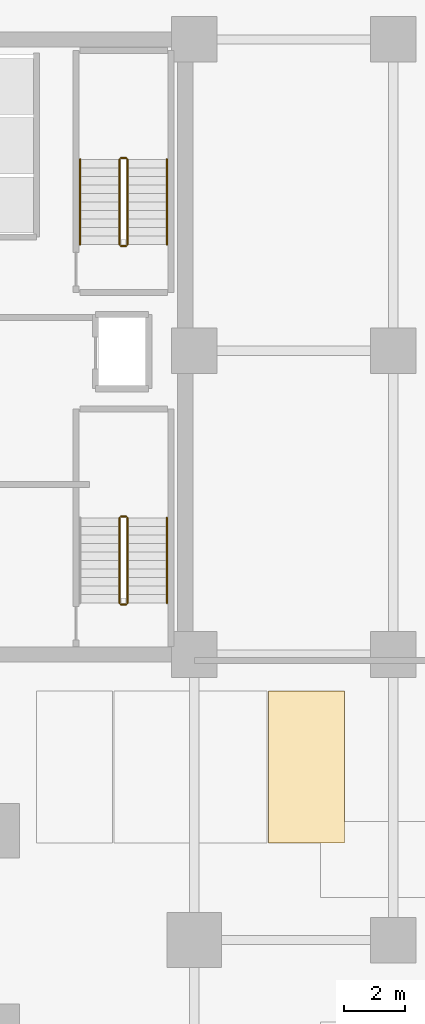
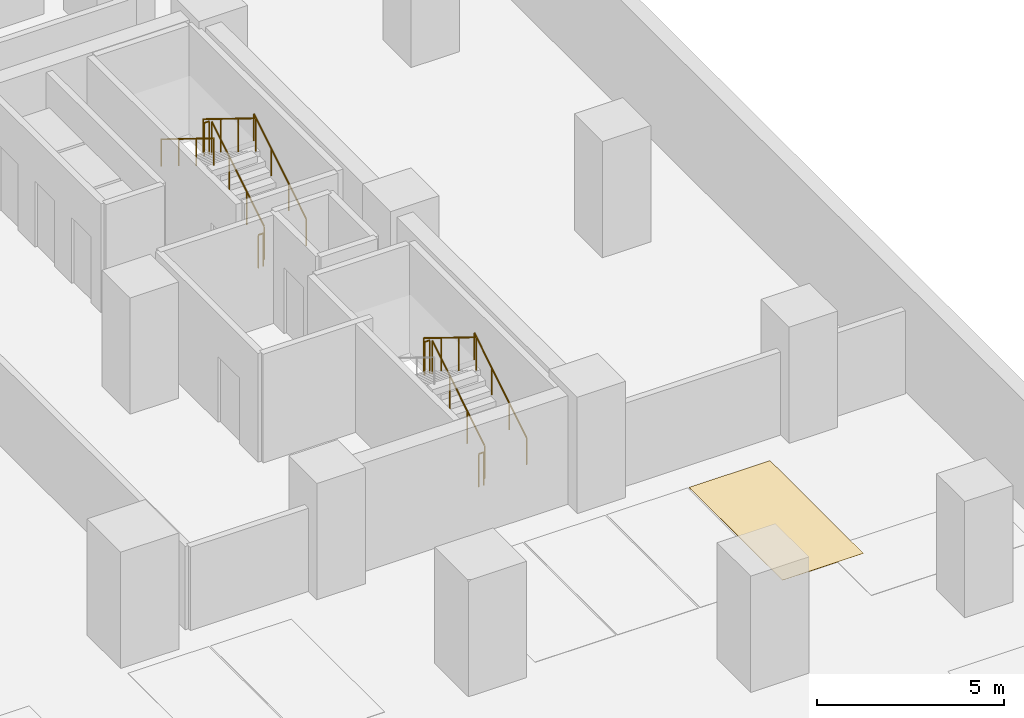
# One storey, part 8 of 9: 11 railings, 1 covering.
"""IFC4 building model written with IfcOpenShell, lengths in metres."""

from ifc_helpers import new_model, si_unit, direction, frame, origin, origin_2d, place, context, subcontext, project, spatial, polyline, circle, outline, extrude, material, layer, layer_set, type_object, element, save


model = new_model("IFC4")

# Units and contexts
model_context = context("Model", 3, precision=1e-05, world=origin(), true_north=direction((0.0, 1.0)))
body_context = subcontext(model_context, "Body", "Model", "MODEL_VIEW")
ifc_project = project(units=[si_unit("LENGTHUNIT", "METRE"), si_unit("AREAUNIT", "SQUARE_METRE"), si_unit("VOLUMEUNIT", "CUBIC_METRE"), si_unit("PLANEANGLEUNIT", "RADIAN"), si_unit("MASSUNIT", "GRAM", prefix="KILO")], contexts=[model_context])

# Site, building, storey
site_placement = place(None, origin())
site = spatial("IfcSite", under=ifc_project, at=site_placement, CompositionType="ELEMENT")
building_placement = place(site_placement, origin())
building = spatial("IfcBuilding", under=site, at=building_placement, Name="Kuzgunbayir Cultural Tower", CompositionType="ELEMENT")
storey_placement = place(building_placement, frame((0.0, 0.0, -7.60009765625)))
storey = spatial("IfcBuildingStorey", under=building, at=storey_placement, Name="B02", CompositionType="ELEMENT", Elevation=-7.60009765625)

# Covering
ifc_material_1 = material(Name="Epoxy Car Park Deck Coating", Category="finish")
ifc_layer_1 = layer(ifc_material_1, 0.006103515625)
ifc_layer_set_1 = layer_set([ifc_layer_1], Name="Epoxy Car Park Deck Coating")
covering_type = type_object("IfcCoveringType", Name="COV-PARK-BAY", PredefinedType="FLOORING", material=ifc_layer_set_1)
covering_placement = place(storey_placement, origin())
element("IfcCovering", 1, at=covering_placement, inside=storey, type_object=covering_type, Name="B02-P025 Car Parking Bay Marking", PredefinedType="FLOORING", context=body_context, shape_type="SweptSolid", body=[
    extrude(outline(polyline([(75.10009765625, 15.800048828125), (77.60009765625, 15.800048828125), (77.60009765625, 20.800048828125), (75.10009765625, 20.800048828125), (75.10009765625, 15.800048828125)])), origin(), (0.0, 0.0, 1.0), 0.010009765625),
])

# Railings
ifc_material_2 = material(Name="Brushed Stainless Steel", Category="steel")
ifc_layer_2 = layer(ifc_material_2, 0.050048828125)
ifc_layer_set_2 = layer_set([ifc_layer_2], Name="Brushed Stainless Steel")
railing_type_1 = type_object("IfcRailingType", Name="RLG-STAIR-HANDRAIL", PredefinedType="HANDRAIL", material=ifc_layer_set_2)
for number, where, name in (
    (2, (71.75, 23.699951171875, 0.1728515625), "B02 ST-3 stair handrail 1"),
    (3, (71.75, 35.5, 0.1728515625), "B02 ST-4 stair handrail 1"),
):
    element("IfcRailing", number, at=place(storey_placement, frame(where)), inside=storey, type_object=railing_type_1, Name=name, PredefinedType="HANDRAIL", context=body_context, shape_type="SweptSolid", body=[
        extrude(circle(Radius=0.02392578125, at=origin_2d()), frame((0.0, 0.0, 0.8759765625), z_axis=(0.0, 0.851089632645, 0.525020415988), x_axis=(-1.0, 0.0, 0.0)), (0.0, 0.0, 1.0), 3.2900390625),
        extrude(circle(Radius=0.02099609375, at=origin_2d()), origin(), (0.0, 0.0, 1.0), 0.851806640625),
        extrude(circle(Radius=0.02099609375, at=origin_2d()), frame((0.0, 0.933349609375, 0.57568359375)), (0.0, 0.0, 1.0), 0.851806640625),
        extrude(circle(Radius=0.02099609375, at=origin_2d()), frame((0.0, 1.86669921875, 1.151611328125)), (0.0, 0.0, 1.0), 0.851806640625),
        extrude(circle(Radius=0.02099609375, at=origin_2d()), frame((0.0, 2.800048828125, 1.727294921875)), (0.0, 0.0, 1.0), 0.851806640625),
    ])
railing_1_placement = place(storey_placement, frame((68.889892578125, 38.300048828125, 2.07275390625)))
element("IfcRailing", 4, at=railing_1_placement, inside=storey, type_object=railing_type_1, Name="B02 ST-4 stair handrail 2", PredefinedType="HANDRAIL", context=body_context, shape_type="SweptSolid", body=[
    extrude(circle(Radius=0.02392578125, at=origin_2d()), frame((0.0, 0.0, 0.8759765625), z_axis=(0.0, -0.851089632645, 0.525020415988), x_axis=(1.0, 0.0, 0.0)), (0.0, 0.0, 1.0), 3.2900390625),
    extrude(circle(Radius=0.02099609375, at=origin_2d()), origin(), (0.0, 0.0, 1.0), 0.851806640625),
    extrude(circle(Radius=0.02099609375, at=origin_2d()), frame((0.0, -0.933349609375, 0.57568359375)), (0.0, 0.0, 1.0), 0.851806640625),
    extrude(circle(Radius=0.02099609375, at=origin_2d()), frame((0.0, -1.86669921875, 1.151611328125)), (0.0, 0.0, 1.0), 0.851806640625),
    extrude(circle(Radius=0.02099609375, at=origin_2d()), frame((0.0, -2.800048828125, 1.727294921875)), (0.0, 0.0, 1.0), 0.851806640625),
])
ifc_material_3 = material(Name="Painted Steel Balustrade", Category="steel")
ifc_layer_3 = layer(ifc_material_3, 0.06005859375)
ifc_layer_set_3 = layer_set([ifc_layer_3], Name="Painted Steel Balustrade")
railing_type_2 = type_object("IfcRailingType", Name="RLG-WELL-GUARD", PredefinedType="GUARDRAIL", material=ifc_layer_set_3)
railing_2_placement = place(storey_placement, frame((70.449951171875, 23.699951171875, 0.1728515625)))
element("IfcRailing", 5, at=railing_2_placement, inside=storey, type_object=railing_type_2, Name="B02 ST-3 stair guard 1", PredefinedType="GUARDRAIL", context=body_context, shape_type="SweptSolid", body=[
    extrude(circle(Radius=0.02392578125, at=origin_2d()), frame((0.0, 0.0, 1.076171875), z_axis=(0.0, 0.851089632645, 0.525020415988), x_axis=(-1.0, 0.0, 0.0)), (0.0, 0.0, 1.0), 3.2900390625),
    extrude(circle(Radius=0.02099609375, at=origin_2d()), origin(), (0.0, 0.0, 1.0), 1.052001953125),
    extrude(circle(Radius=0.02099609375, at=origin_2d()), frame((0.0, 0.933349609375, 0.57568359375)), (0.0, 0.0, 1.0), 1.052001953125),
    extrude(circle(Radius=0.02099609375, at=origin_2d()), frame((0.0, 1.86669921875, 1.151611328125)), (0.0, 0.0, 1.0), 1.052001953125),
    extrude(circle(Radius=0.02099609375, at=origin_2d()), frame((0.0, 2.800048828125, 1.727294921875)), (0.0, 0.0, 1.0), 1.052001953125),
])
railing_3_placement = place(storey_placement, frame((70.39990234375, 26.550048828125, 1.900146484375)))
element("IfcRailing", 6, at=railing_3_placement, inside=storey, type_object=railing_type_2, Name="B02 ST-3 stair guard 2", PredefinedType="GUARDRAIL", context=body_context, shape_type="SweptSolid", body=[
    extrude(circle(Radius=0.02392578125, at=origin_2d()), frame((0.0, 0.0, 1.076171875), z_axis=(-1.0, 0.0, 0.0), x_axis=(0.0, -1.0, 0.0)), (0.0, 0.0, 1.0), 0.159912109375),
    extrude(circle(Radius=0.02099609375, at=origin_2d()), origin(), (0.0, 0.0, 1.0), 1.052001953125),
    extrude(circle(Radius=0.02099609375, at=origin_2d()), frame((-0.159912109375, 0.0, 0.0)), (0.0, 0.0, 1.0), 1.052001953125),
])
railing_4_placement = place(storey_placement, frame((70.18994140625, 26.5, 2.07275390625)))
element("IfcRailing", 7, at=railing_4_placement, inside=storey, type_object=railing_type_2, Name="B02 ST-3 stair guard 3", PredefinedType="GUARDRAIL", context=body_context, shape_type="SweptSolid", body=[
    extrude(circle(Radius=0.02392578125, at=origin_2d()), frame((0.0, 0.0, 1.076171875), z_axis=(0.0, -0.851089632645, 0.525020415988), x_axis=(1.0, 0.0, 0.0)), (0.0, 0.0, 1.0), 3.2900390625),
    extrude(circle(Radius=0.02099609375, at=origin_2d()), origin(), (0.0, 0.0, 1.0), 1.052001953125),
    extrude(circle(Radius=0.02099609375, at=origin_2d()), frame((0.0, -0.933349609375, 0.57568359375)), (0.0, 0.0, 1.0), 1.052001953125),
    extrude(circle(Radius=0.02099609375, at=origin_2d()), frame((0.0, -1.86669921875, 1.151611328125)), (0.0, 0.0, 1.0), 1.052001953125),
    extrude(circle(Radius=0.02099609375, at=origin_2d()), frame((0.0, -2.800048828125, 1.727294921875)), (0.0, 0.0, 1.0), 1.052001953125),
])
railing_5_placement = place(storey_placement, frame((70.39990234375, 23.64990234375, 0.0)))
element("IfcRailing", 8, at=railing_5_placement, inside=storey, type_object=railing_type_2, Name="B02 ST-3 stair guard 4", PredefinedType="GUARDRAIL", context=body_context, shape_type="SweptSolid", body=[
    extrude(circle(Radius=0.02392578125, at=origin_2d()), frame((0.0, 0.0, 1.076171875), z_axis=(-1.0, 0.0, 0.0), x_axis=(0.0, -1.0, 0.0)), (0.0, 0.0, 1.0), 0.159912109375),
    extrude(circle(Radius=0.02099609375, at=origin_2d()), origin(), (0.0, 0.0, 1.0), 1.052001953125),
    extrude(circle(Radius=0.02099609375, at=origin_2d()), frame((-0.159912109375, 0.0, 0.0)), (0.0, 0.0, 1.0), 1.052001953125),
])
railing_6_placement = place(storey_placement, frame((70.449951171875, 35.5, 0.1728515625)))
element("IfcRailing", 9, at=railing_6_placement, inside=storey, type_object=railing_type_2, Name="B02 ST-4 stair guard 1", PredefinedType="GUARDRAIL", context=body_context, shape_type="SweptSolid", body=[
    extrude(circle(Radius=0.02392578125, at=origin_2d()), frame((0.0, 0.0, 1.076171875), z_axis=(0.0, 0.851089632645, 0.525020415988), x_axis=(-1.0, 0.0, 0.0)), (0.0, 0.0, 1.0), 3.2900390625),
    extrude(circle(Radius=0.02099609375, at=origin_2d()), origin(), (0.0, 0.0, 1.0), 1.052001953125),
    extrude(circle(Radius=0.02099609375, at=origin_2d()), frame((0.0, 0.933349609375, 0.57568359375)), (0.0, 0.0, 1.0), 1.052001953125),
    extrude(circle(Radius=0.02099609375, at=origin_2d()), frame((0.0, 1.86669921875, 1.151611328125)), (0.0, 0.0, 1.0), 1.052001953125),
    extrude(circle(Radius=0.02099609375, at=origin_2d()), frame((0.0, 2.800048828125, 1.727294921875)), (0.0, 0.0, 1.0), 1.052001953125),
])
railing_7_placement = place(storey_placement, frame((70.39990234375, 38.35009765625, 1.900146484375)))
element("IfcRailing", 10, at=railing_7_placement, inside=storey, type_object=railing_type_2, Name="B02 ST-4 stair guard 2", PredefinedType="GUARDRAIL", context=body_context, shape_type="SweptSolid", body=[
    extrude(circle(Radius=0.02392578125, at=origin_2d()), frame((0.0, 0.0, 1.076171875), z_axis=(-1.0, 0.0, 0.0), x_axis=(0.0, -1.0, 0.0)), (0.0, 0.0, 1.0), 0.159912109375),
    extrude(circle(Radius=0.02099609375, at=origin_2d()), origin(), (0.0, 0.0, 1.0), 1.052001953125),
    extrude(circle(Radius=0.02099609375, at=origin_2d()), frame((-0.159912109375, 0.0, 0.0)), (0.0, 0.0, 1.0), 1.052001953125),
])
railing_8_placement = place(storey_placement, frame((70.18994140625, 38.300048828125, 2.07275390625)))
element("IfcRailing", 11, at=railing_8_placement, inside=storey, type_object=railing_type_2, Name="B02 ST-4 stair guard 3", PredefinedType="GUARDRAIL", context=body_context, shape_type="SweptSolid", body=[
    extrude(circle(Radius=0.02392578125, at=origin_2d()), frame((0.0, 0.0, 1.076171875), z_axis=(0.0, -0.851089632645, 0.525020415988), x_axis=(1.0, 0.0, 0.0)), (0.0, 0.0, 1.0), 3.2900390625),
    extrude(circle(Radius=0.02099609375, at=origin_2d()), origin(), (0.0, 0.0, 1.0), 1.052001953125),
    extrude(circle(Radius=0.02099609375, at=origin_2d()), frame((0.0, -0.933349609375, 0.57568359375)), (0.0, 0.0, 1.0), 1.052001953125),
    extrude(circle(Radius=0.02099609375, at=origin_2d()), frame((0.0, -1.86669921875, 1.151611328125)), (0.0, 0.0, 1.0), 1.052001953125),
    extrude(circle(Radius=0.02099609375, at=origin_2d()), frame((0.0, -2.800048828125, 1.727294921875)), (0.0, 0.0, 1.0), 1.052001953125),
])
railing_9_placement = place(storey_placement, frame((70.39990234375, 35.449951171875, 0.0)))
element("IfcRailing", 12, at=railing_9_placement, inside=storey, type_object=railing_type_2, Name="B02 ST-4 stair guard 4", PredefinedType="GUARDRAIL", context=body_context, shape_type="SweptSolid", body=[
    extrude(circle(Radius=0.02392578125, at=origin_2d()), frame((0.0, 0.0, 1.076171875), z_axis=(-1.0, 0.0, 0.0), x_axis=(0.0, -1.0, 0.0)), (0.0, 0.0, 1.0), 0.159912109375),
    extrude(circle(Radius=0.02099609375, at=origin_2d()), origin(), (0.0, 0.0, 1.0), 1.052001953125),
    extrude(circle(Radius=0.02099609375, at=origin_2d()), frame((-0.159912109375, 0.0, 0.0)), (0.0, 0.0, 1.0), 1.052001953125),
])

save(model, "model.ifc")
